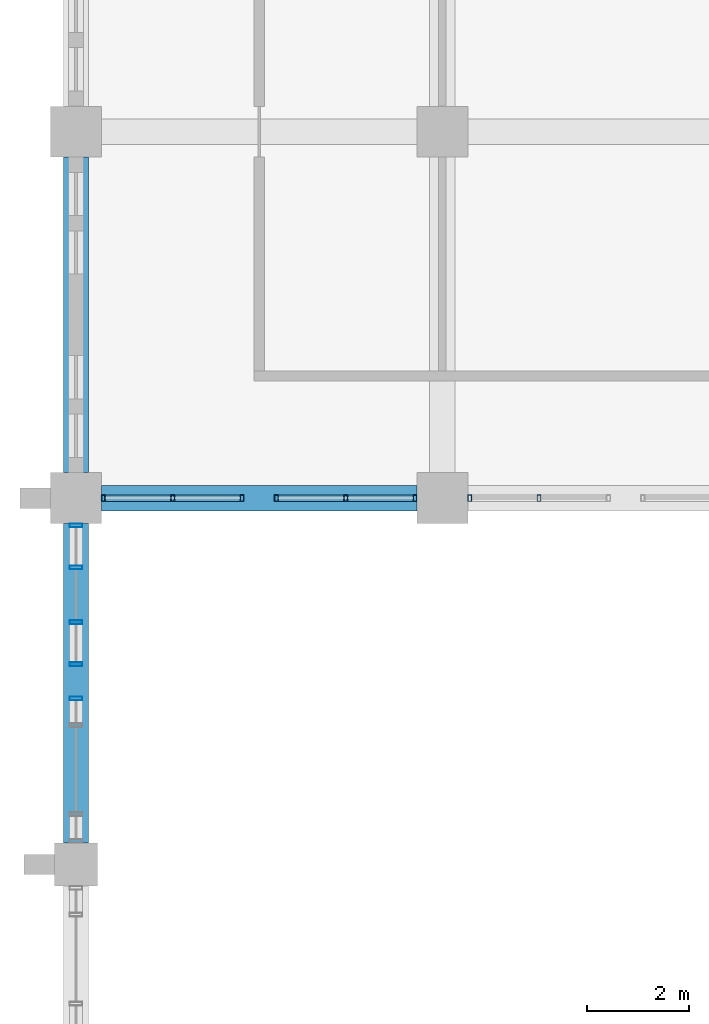
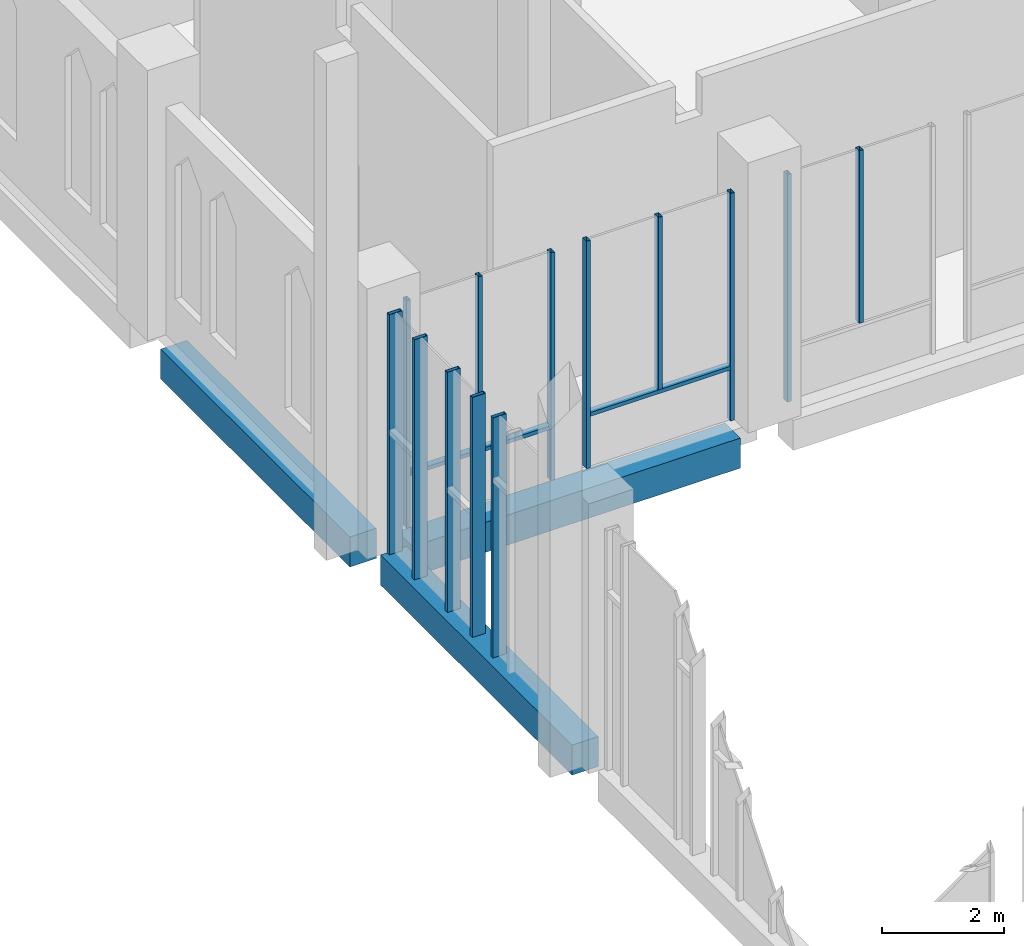
# One storey, part 19 of 83: 15 members, 3 beams, 5 elements without a shape of their own.
"""IFC4 building model written with IfcOpenShell, lengths in metres."""

from ifc_helpers import new_model, si_unit, direction, frame, origin, origin_2d, place, context, subcontext, project, spatial, rectangle, hollow_rectangle, extrude, material, material_profile, profile_set, type_object, element, aggregate, save


model = new_model("IFC4")

# Units and contexts
model_context = context("Model", 3, precision=1e-05, world=origin(), true_north=direction((0.0, 1.0)))
body_context = subcontext(model_context, "Body", "Model", "MODEL_VIEW")
ifc_project = project(units=[si_unit("LENGTHUNIT", "METRE"), si_unit("AREAUNIT", "SQUARE_METRE"), si_unit("VOLUMEUNIT", "CUBIC_METRE"), si_unit("PLANEANGLEUNIT", "RADIAN"), si_unit("MASSUNIT", "GRAM", prefix="KILO")], contexts=[model_context])

# Site, building, storey
site_placement = place(None, origin())
site = spatial("IfcSite", under=ifc_project, at=site_placement, CompositionType="ELEMENT")
building_placement = place(site_placement, origin())
building = spatial("IfcBuilding", under=site, at=building_placement, Name="Silangan Lancet Faculty of Sciences", CompositionType="ELEMENT")
storey_placement = place(building_placement, frame((0.0, 0.0, 11.39990234375)))
storey = spatial("IfcBuildingStorey", under=building, at=storey_placement, Name="L02", CompositionType="ELEMENT", Elevation=11.39990234375)

# Beams
ifc_material_1 = material(Name="Concrete C40/50", Category="concrete")
ifc_material_profile_1 = material_profile(ifc_material_1, rectangle(XDim=0.5, YDim=0.60009765625, at=origin_2d()), Name="RC 500x600")
ifc_profile_set_1 = profile_set([ifc_material_profile_1], Name="Concrete C40/50")
beam_type = type_object("IfcBeamType", Name="BEAM RC 500x600", PredefinedType="BEAM", material=ifc_profile_set_1)
beam_1_placement = place(storey_placement, frame((0.5, 36.0, -0.5498046875), z_axis=(1.0, 0.0, 0.0), x_axis=(0.0, 1.0, 0.0)))
element("IfcBeam", 1, at=beam_1_placement, inside=storey, type_object=beam_type, Name="BM-L02-1F-2F", PredefinedType="BEAM", context=body_context, shape_type="SweptSolid", body=[
    extrude(rectangle(XDim=0.5, YDim=0.60009765625, at=origin_2d()), origin(), (0.0, 0.0, 1.0), 6.199951171875),
])
beam_2_placement = place(storey_placement, frame((0.0, 29.22509765625, -0.2998046875), z_axis=(0.0, 1.0, 0.0), x_axis=(-1.0, 0.0, 0.0)))
element("IfcBeam", 2, at=beam_2_placement, inside=storey, type_object=beam_type, Name="BM-L02-1E-1F", PredefinedType="BEAM", context=body_context, shape_type="SweptSolid", body=[
    extrude(rectangle(XDim=0.5, YDim=0.60009765625, at=origin_2d()), origin(), (0.0, 0.0, 1.0), 6.27490234375),
])
beam_3_placement = place(storey_placement, frame((0.0, 36.5, -0.5498046875), z_axis=(0.0, 1.0, 0.0), x_axis=(-1.0, 0.0, 0.0)))
element("IfcBeam", 3, at=beam_3_placement, inside=storey, type_object=beam_type, Name="BM-L02-1F-1G", PredefinedType="BEAM", context=body_context, shape_type="SweptSolid", body=[
    extrude(rectangle(XDim=0.5, YDim=0.60009765625, at=origin_2d()), origin(), (0.0, 0.0, 1.0), 6.199951171875),
])

# Curtain wall, members
ifc_material_2 = material(Name="Aluminium framed curtain wall with insulated glass", Category="aluminium")
curtain_wall_type_1 = type_object("IfcCurtainWallType", Name="CW2 Atrium fire-resisting screen", PredefinedType="NOTDEFINED", material=ifc_material_2)
curtain_wall_1_placement = place(storey_placement, origin())
curtain_wall_1 = element("IfcCurtainWall", 4, at=curtain_wall_1_placement, inside=storey, type_object=curtain_wall_type_1, Name="CW2 Atrium north L02 bay 1", PredefinedType="NOTDEFINED")
ifc_material_3 = material(Name="Steel S355J2H", Category="steel")
ifc_material_profile_2 = material_profile(ifc_material_3, hollow_rectangle(XDim=0.074951171875, YDim=0.125, WallThickness=0.0048828125, at=origin_2d()), Name="ST BOX 75x125x5")
ifc_profile_set_2 = profile_set([ifc_material_profile_2], Name="Steel S355J2H")
member_type_1 = type_object("IfcMemberType", Name="CM2 Mullion 75x125", PredefinedType="MULLION", material=ifc_profile_set_2)
member_1_placement = place(storey_placement, frame((0.53759765625, 36.0, 0.0), z_axis=(0.0, 0.0, 1.0), x_axis=(1.0, 0.0, 0.0)))
member_1 = element("IfcMember", 5, at=member_1_placement, type_object=member_type_1, Name="CW2 Atrium north L02 bay 1 mullion 1", PredefinedType="MULLION", context=body_context, shape_type="SweptSolid", body=[
    extrude(hollow_rectangle(XDim=0.074951171875, YDim=0.125, WallThickness=0.0048828125, at=origin_2d()), origin(), (0.0, 0.0, 1.0), 4.550048828125),
])
member_2_placement = place(storey_placement, frame((3.2626953125, 36.0, 0.0), z_axis=(0.0, 0.0, 1.0), x_axis=(1.0, 0.0, 0.0)))
member_2 = element("IfcMember", 6, at=member_2_placement, type_object=member_type_1, Name="CW2 Atrium north L02 bay 1 mullion 2", PredefinedType="MULLION", context=body_context, shape_type="SweptSolid", body=[
    extrude(hollow_rectangle(XDim=0.074951171875, YDim=0.125, WallThickness=0.0048828125, at=origin_2d()), origin(), (0.0, 0.0, 1.0), 4.550048828125),
])
member_3_placement = place(storey_placement, frame((1.900146484375, 36.0, 1.10009765625), z_axis=(0.0, 0.0, 1.0), x_axis=(1.0, 0.0, 0.0)))
member_3 = element("IfcMember", 7, at=member_3_placement, type_object=member_type_1, Name="CW2 Atrium north L02 bay 1 mullion 3", PredefinedType="MULLION", context=body_context, shape_type="SweptSolid", body=[
    extrude(hollow_rectangle(XDim=0.074951171875, YDim=0.125, WallThickness=0.0048828125, at=origin_2d()), origin(), (0.0, 0.0, 1.0), 3.449951171875),
])

curtain_wall_2_placement = place(storey_placement, origin())
curtain_wall_2 = element("IfcCurtainWall", 8, at=curtain_wall_2_placement, inside=storey, type_object=curtain_wall_type_1, Name="CW2 Atrium north L02 bay 2", PredefinedType="NOTDEFINED")
member_4_placement = place(storey_placement, frame((3.9375, 36.0, 0.0), z_axis=(0.0, 0.0, 1.0), x_axis=(1.0, 0.0, 0.0)))
member_4 = element("IfcMember", 9, at=member_4_placement, type_object=member_type_1, Name="CW2 Atrium north L02 bay 2 mullion 1", PredefinedType="MULLION", context=body_context, shape_type="SweptSolid", body=[
    extrude(hollow_rectangle(XDim=0.074951171875, YDim=0.125, WallThickness=0.0048828125, at=origin_2d()), origin(), (0.0, 0.0, 1.0), 4.550048828125),
])
member_5_placement = place(storey_placement, frame((6.66259765625, 36.0, 0.0), z_axis=(0.0, 0.0, 1.0), x_axis=(1.0, 0.0, 0.0)))
member_5 = element("IfcMember", 10, at=member_5_placement, type_object=member_type_1, Name="CW2 Atrium north L02 bay 2 mullion 2", PredefinedType="MULLION", context=body_context, shape_type="SweptSolid", body=[
    extrude(hollow_rectangle(XDim=0.074951171875, YDim=0.125, WallThickness=0.0048828125, at=origin_2d()), origin(), (0.0, 0.0, 1.0), 4.550048828125),
])
member_6_placement = place(storey_placement, frame((5.300048828125, 36.0, 1.10009765625), z_axis=(0.0, 0.0, 1.0), x_axis=(1.0, 0.0, 0.0)))
member_6 = element("IfcMember", 11, at=member_6_placement, type_object=member_type_1, Name="CW2 Atrium north L02 bay 2 mullion 3", PredefinedType="MULLION", context=body_context, shape_type="SweptSolid", body=[
    extrude(hollow_rectangle(XDim=0.074951171875, YDim=0.125, WallThickness=0.0048828125, at=origin_2d()), origin(), (0.0, 0.0, 1.0), 3.449951171875),
])

curtain_wall_3_placement = place(storey_placement, origin())
curtain_wall_3 = element("IfcCurtainWall", 12, at=curtain_wall_3_placement, inside=storey, type_object=curtain_wall_type_1, Name="CW2 Atrium north L02 bay 3", PredefinedType="NOTDEFINED")
member_7_placement = place(storey_placement, frame((7.737548828125, 36.0, 0.0), z_axis=(0.0, 0.0, 1.0), x_axis=(1.0, 0.0, 0.0)))
member_7 = element("IfcMember", 13, at=member_7_placement, type_object=member_type_1, Name="CW2 Atrium north L02 bay 3 mullion 1", PredefinedType="MULLION", context=body_context, shape_type="SweptSolid", body=[
    extrude(hollow_rectangle(XDim=0.074951171875, YDim=0.125, WallThickness=0.0048828125, at=origin_2d()), origin(), (0.0, 0.0, 1.0), 4.550048828125),
])
member_8_placement = place(storey_placement, frame((9.10009765625, 36.0, 1.10009765625), z_axis=(0.0, 0.0, 1.0), x_axis=(1.0, 0.0, 0.0)))
member_8 = element("IfcMember", 14, at=member_8_placement, type_object=member_type_1, Name="CW2 Atrium north L02 bay 3 mullion 3", PredefinedType="MULLION", context=body_context, shape_type="SweptSolid", body=[
    extrude(hollow_rectangle(XDim=0.074951171875, YDim=0.125, WallThickness=0.0048828125, at=origin_2d()), origin(), (0.0, 0.0, 1.0), 3.449951171875),
])
aggregate(curtain_wall_3, [member_7, member_8])

# Curtain wall, member
ifc_material_4 = material(Name="Aluminium framed curtain wall with insulated glass", Category="aluminium")
curtain_wall_type_2 = type_object("IfcCurtainWallType", Name="CW6 West window middle bays", PredefinedType="NOTDEFINED", material=ifc_material_4)
curtain_wall_4_placement = place(storey_placement, origin())
curtain_wall_4 = element("IfcCurtainWall", 15, at=curtain_wall_4_placement, inside=storey, type_object=curtain_wall_type_2, Name="CW6 West window L02 bay 3", PredefinedType="NOTDEFINED")
ifc_material_5 = material(Name="Aluminium 6063-T6 extrusion", Category="aluminium")
ifc_material_profile_3 = material_profile(ifc_material_5, hollow_rectangle(XDim=0.074951171875, YDim=0.25, WallThickness=0.006103515625, at=origin_2d()), Name="AL BOX 75x250x6")
ifc_profile_set_3 = profile_set([ifc_material_profile_3], Name="Aluminium 6063-T6 extrusion")
member_type_2 = type_object("IfcMemberType", Name="CM3 Mullion 75x250", PredefinedType="MULLION", material=ifc_profile_set_3)
member_9_placement = place(storey_placement, frame((0.0, 32.0625, 0.0), z_axis=(0.0, 0.0, 1.0), x_axis=(0.0, 1.0, 0.0)))
member_9 = element("IfcMember", 16, at=member_9_placement, type_object=member_type_2, Name="CW6 West window L02 bay 3 mullion 2", PredefinedType="MULLION", context=body_context, shape_type="SweptSolid", body=[
    extrude(hollow_rectangle(XDim=0.074951171875, YDim=0.25, WallThickness=0.006103515625, at=origin_2d()), origin(), (0.0, 0.0, 1.0), 4.800048828125),
])
aggregate(curtain_wall_4, [member_9])

# Curtain wall, members
ifc_material_6 = material(Name="Aluminium framed curtain wall with insulated glass", Category="aluminium")
curtain_wall_type_3 = type_object("IfcCurtainWallType", Name="CW3 West stepped lancet window", PredefinedType="NOTDEFINED", material=ifc_material_6)
curtain_wall_5_placement = place(storey_placement, origin())
curtain_wall_5 = element("IfcCurtainWall", 17, at=curtain_wall_5_placement, inside=storey, type_object=curtain_wall_type_3, Name="CW3 West window L02 bay 4", PredefinedType="NOTDEFINED")
member_10_placement = place(storey_placement, frame((0.0, 32.7373046875, 0.0), z_axis=(0.0, 0.0, 1.0), x_axis=(0.0, 1.0, 0.0)))
member_10 = element("IfcMember", 18, at=member_10_placement, type_object=member_type_2, Name="CW3 West window L02 bay 4 mullion 1", PredefinedType="MULLION", context=body_context, shape_type="SweptSolid", body=[
    extrude(hollow_rectangle(XDim=0.074951171875, YDim=0.25, WallThickness=0.006103515625, at=origin_2d()), origin(), (0.0, 0.0, 1.0), 4.800048828125),
])
member_11_placement = place(storey_placement, frame((0.0, 35.46240234375, 0.0), z_axis=(0.0, 0.0, 1.0), x_axis=(0.0, 1.0, 0.0)))
member_11 = element("IfcMember", 19, at=member_11_placement, type_object=member_type_2, Name="CW3 West window L02 bay 4 mullion 2", PredefinedType="MULLION", context=body_context, shape_type="SweptSolid", body=[
    extrude(hollow_rectangle(XDim=0.074951171875, YDim=0.25, WallThickness=0.006103515625, at=origin_2d()), origin(), (0.0, 0.0, 1.0), 4.800048828125),
])
member_12_placement = place(storey_placement, frame((0.0, 33.5625, 0.0), z_axis=(0.0, 0.0, 1.0), x_axis=(0.0, 1.0, 0.0)))
member_12 = element("IfcMember", 20, at=member_12_placement, type_object=member_type_2, Name="CW3 West window L02 bay 4 mullion 3", PredefinedType="MULLION", context=body_context, shape_type="SweptSolid", body=[
    extrude(hollow_rectangle(XDim=0.074951171875, YDim=0.25, WallThickness=0.006103515625, at=origin_2d()), origin(), (0.0, 0.0, 1.0), 4.800048828125),
])
member_13_placement = place(storey_placement, frame((0.0, 34.637451171875, 0.0), z_axis=(0.0, 0.0, 1.0), x_axis=(0.0, 1.0, 0.0)))
member_13 = element("IfcMember", 21, at=member_13_placement, type_object=member_type_2, Name="CW3 West window L02 bay 4 mullion 4", PredefinedType="MULLION", context=body_context, shape_type="SweptSolid", body=[
    extrude(hollow_rectangle(XDim=0.074951171875, YDim=0.25, WallThickness=0.006103515625, at=origin_2d()), origin(), (0.0, 0.0, 1.0), 4.800048828125),
])
aggregate(curtain_wall_5, [member_10, member_11, member_12, member_13])

# Member
ifc_material_7 = material(Name="Steel S355J2H", Category="steel")
ifc_material_profile_4 = material_profile(ifc_material_7, hollow_rectangle(XDim=0.125, YDim=0.074951171875, WallThickness=0.0048828125, at=origin_2d()), Name="ST BOX 125x75x5")
ifc_profile_set_4 = profile_set([ifc_material_profile_4], Name="Steel S355J2H")
member_type_3 = type_object("IfcMemberType", Name="CT2 Transom 125x75", PredefinedType="USERDEFINED", material=ifc_profile_set_4)
member_14_placement = place(storey_placement, frame((0.574951171875, 36.0, 1.0625), z_axis=(1.0, 0.0, 0.0), x_axis=(0.0, 1.0, 0.0)))
member_14 = element("IfcMember", 22, at=member_14_placement, type_object=member_type_3, Name="CW2 Atrium north L02 bay 1 transom 1", ObjectType="TRANSOM", PredefinedType="USERDEFINED", context=body_context, shape_type="SweptSolid", body=[
    extrude(hollow_rectangle(XDim=0.125, YDim=0.074951171875, WallThickness=0.0048828125, at=origin_2d()), origin(), (0.0, 0.0, 1.0), 2.650146484375),
])

aggregate(curtain_wall_1, [member_1, member_2, member_3, member_14])

member_15_placement = place(storey_placement, frame((3.97509765625, 36.0, 1.0625), z_axis=(1.0, 0.0, 0.0), x_axis=(0.0, 1.0, 0.0)))
member_15 = element("IfcMember", 23, at=member_15_placement, type_object=member_type_3, Name="CW2 Atrium north L02 bay 2 transom 1", ObjectType="TRANSOM", PredefinedType="USERDEFINED", context=body_context, shape_type="SweptSolid", body=[
    extrude(hollow_rectangle(XDim=0.125, YDim=0.074951171875, WallThickness=0.0048828125, at=origin_2d()), origin(), (0.0, 0.0, 1.0), 2.64990234375),
])

aggregate(curtain_wall_2, [member_4, member_5, member_6, member_15])

save(model, "model.ifc")
